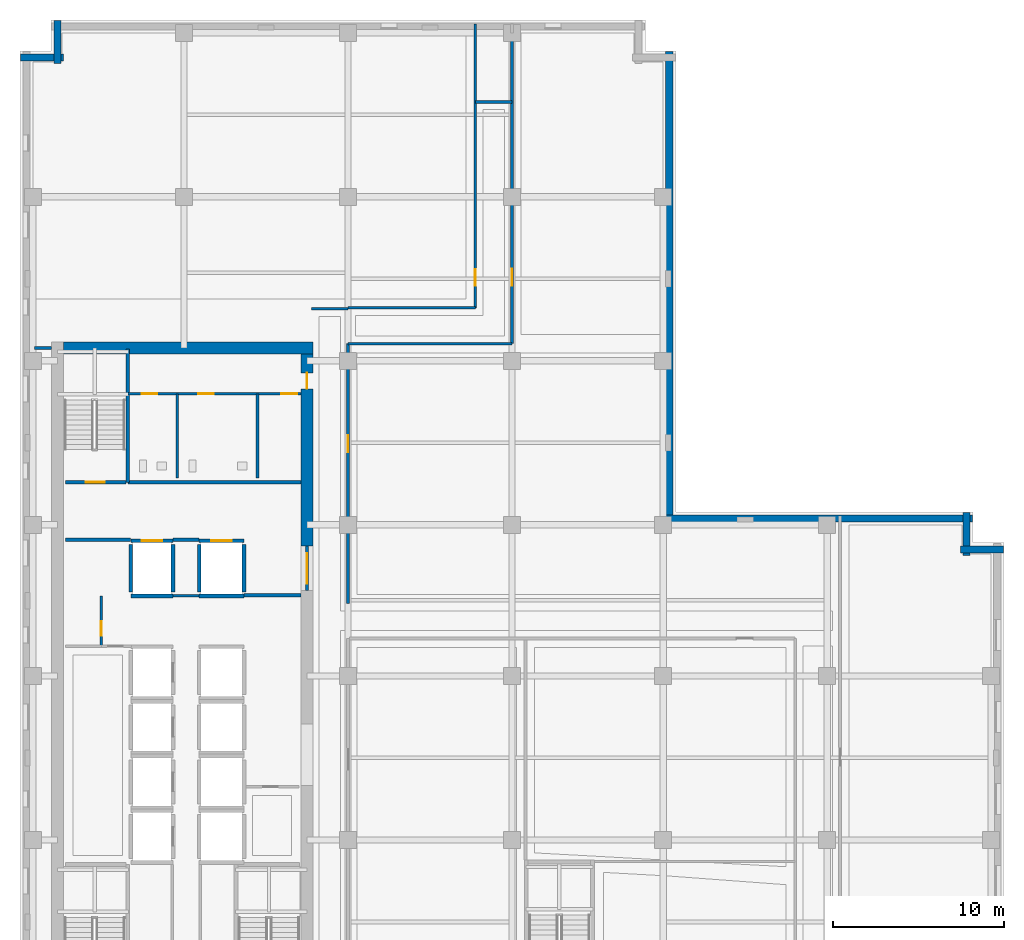
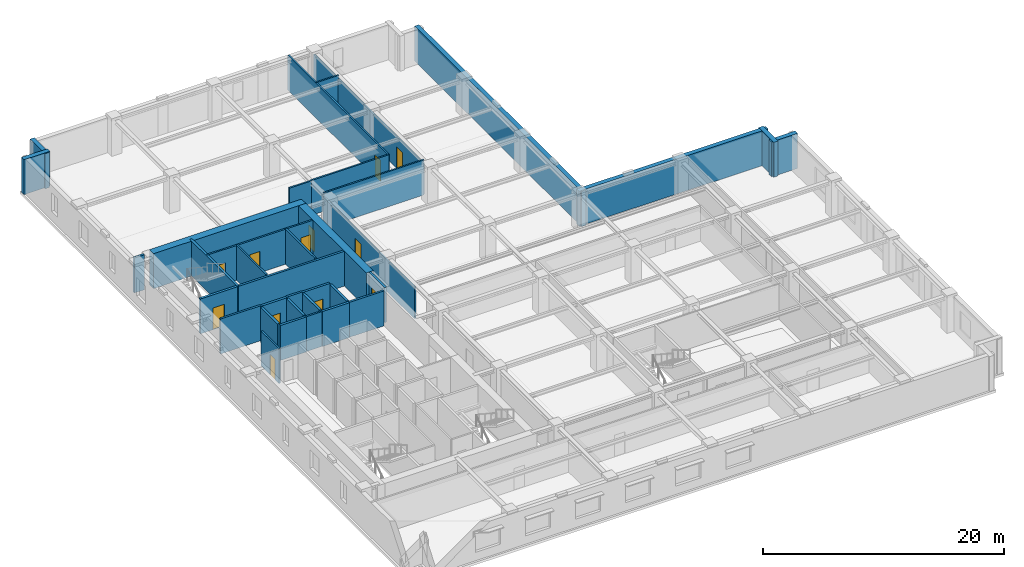
# One storey, part 6 of 12: 36 walls, 12 doors, 12 openings.
"""IFC4 building model written with IfcOpenShell, lengths in metres."""

from ifc_helpers import new_model, si_unit, direction, frame, frame_2d, origin, place, context, subcontext, project, spatial, rectangle, extrude, material, layer, layer_set, type_object, element, fill, save


model = new_model("IFC4")

# Units and contexts
model_context = context("Model", 3, precision=1e-05, world=origin(), true_north=direction((0.0, 1.0)))
body_context = subcontext(model_context, "Body", "Model", "MODEL_VIEW")
ifc_project = project(units=[si_unit("LENGTHUNIT", "METRE"), si_unit("AREAUNIT", "SQUARE_METRE"), si_unit("VOLUMEUNIT", "CUBIC_METRE"), si_unit("PLANEANGLEUNIT", "RADIAN"), si_unit("MASSUNIT", "GRAM", prefix="KILO")], contexts=[model_context])

# Site, building, storey
site_placement = place(None, origin())
site = spatial("IfcSite", under=ifc_project, at=site_placement, CompositionType="ELEMENT")
building_placement = place(site_placement, origin())
building = spatial("IfcBuilding", under=site, at=building_placement, Name="Norrvale University Quadrangle", CompositionType="ELEMENT")
storey_placement = place(building_placement, frame((0.0, 0.0, 105.199951171875)))
storey = spatial("IfcBuildingStorey", under=building, at=storey_placement, Name="L26", CompositionType="ELEMENT", Elevation=105.199951171875)

# Walls
ifc_material_1 = material(Name="Buff Norman Clay Brick Masonry", Category="masonry")
ifc_layer_1 = layer(ifc_material_1, 0.419921875, Name="Buff Norman Clay Brick Masonry")
ifc_layer_set_1 = layer_set([ifc_layer_1], Name="Buff Norman Clay Brick Masonry")
wall_type_1 = type_object("IfcWallType", Name="Wall Buff Brick 420", PredefinedType="SOLIDWALL", material=ifc_layer_set_1)
for number, where, z_axis, x_axis, name in (
    (1, (57.56005859375, 36.2099609375, 0.0), (0.0, 0.0, 1.0), (-1.0, 0.0, 0.0), "Exterior Brick Facade Wall L26-05.1"),
    (2, (55.409912109375, 35.860107421875, 0.0), (0.0, 0.0, 1.0), (0.0, 1.0, 0.0), "Exterior Brick Facade Wall L26-06.1"),
):
    element("IfcWall", number, at=place(storey_placement, frame(where, z_axis=z_axis, x_axis=x_axis)), inside=storey, type_object=wall_type_1, Name=name, PredefinedType="SOLIDWALL", context=body_context, shape_type="SweptSolid", body=[
        extrude(rectangle(XDim=2.5, YDim=0.419921875, at=frame_2d((1.25, 0.0))), origin(), (0.0, 0.0, 1.0), 3.5400390625),
    ])
wall_1_placement = place(storey_placement, frame((55.760009765625, 38.010009765625, 0.0), z_axis=(0.0, 0.0, 1.0), x_axis=(-1.0, 0.0, 0.0)))
element("IfcWall", 3, at=wall_1_placement, inside=storey, type_object=wall_type_1, Name="Exterior Brick Facade Wall L26-07.1", PredefinedType="SOLIDWALL", context=body_context, shape_type="SweptSolid", body=[
    extrude(rectangle(XDim=18.10009765625, YDim=0.419921875, at=frame_2d((9.050048828125, 0.0))), origin(), (0.0, 0.0, 1.0), 3.5400390625),
])
wall_2_placement = place(storey_placement, frame((38.010009765625, 37.659912109375, 0.0), z_axis=(0.0, 0.0, 1.0), x_axis=(0.0, 1.0, 0.0)))
element("IfcWall", 4, at=wall_2_placement, inside=storey, type_object=wall_type_1, Name="Exterior Brick Facade Wall L26-08.1", PredefinedType="SOLIDWALL", context=body_context, shape_type="SweptSolid", body=[
    extrude(rectangle(XDim=27.7001953125, YDim=0.419921875, at=frame_2d((13.85009765625, 0.0))), origin(), (0.0, 0.0, 1.0), 3.5400390625),
])
for number, where, z_axis, x_axis, name in (
    (5, (2.18994140625, 67.159912109375, 0.0), (0.0, 0.0, 1.0), (0.0, -1.0, 0.0), "Exterior Brick Facade Wall L26-12.1"),
    (6, (2.5400390625, 65.010009765625, 0.0), (0.0, 0.0, 1.0), (-1.0, 0.0, 0.0), "Exterior Brick Facade Wall L26-13.1"),
):
    element("IfcWall", number, at=place(storey_placement, frame(where, z_axis=z_axis, x_axis=x_axis)), inside=storey, type_object=wall_type_1, Name=name, PredefinedType="SOLIDWALL", context=body_context, shape_type="SweptSolid", body=[
        extrude(rectangle(XDim=2.5, YDim=0.419921875, at=frame_2d((1.25, 0.0))), origin(), (0.0, 0.0, 1.0), 3.5400390625),
    ])
ifc_material_2 = material(Name="Concrete C60/75", Category="concrete")
ifc_layer_2 = layer(ifc_material_2, 0.699951171875, Name="Concrete C60/75")
ifc_layer_set_2 = layer_set([ifc_layer_2], Name="Concrete C60/75")
wall_type_2 = type_object("IfcWallType", Name="Wall Core 700", PredefinedType="SHEAR", material=ifc_layer_set_2)
wall_3_placement = place(storey_placement, frame((2.550048828125, 48.0, 0.0), z_axis=(0.0, 0.0, 1.0), x_axis=(1.0, 0.0, 0.0)))
element("IfcWall", 7, at=wall_3_placement, inside=storey, type_object=wall_type_2, Name="Tower Core Shear Wall L26-N", PredefinedType="SHEAR", context=body_context, shape_type="SweptSolid", body=[
    extrude(rectangle(XDim=14.599853515625, YDim=0.699951171875, at=frame_2d((7.2998046875, 0.0))), origin(), (0.0, 0.0, 1.0), 3.5400390625),
])

# Wall, opening, door
wall_4_placement = place(storey_placement, frame((16.800048828125, 36.39990234375, 0.0), z_axis=(0.0, 0.0, 1.0), x_axis=(0.0, 1.0, 0.0)))
wall_4 = element("IfcWall", 8, at=wall_4_placement, inside=storey, type_object=wall_type_2, Name="Tower Core Shear Wall L26-E3", PredefinedType="SHEAR", context=body_context, shape_type="SweptSolid", body=[
    extrude(rectangle(XDim=11.25, YDim=0.699951171875, at=frame_2d((5.625, 0.0))), origin(), (0.0, 0.0, 1.0), 3.5400390625),
])
opening_1_placement = place(wall_4_placement, frame((9.199951171875, 0.0, 0.0)))
opening_1 = element("IfcOpeningElement", 9, at=opening_1_placement, cuts=wall_4, Name="Opening D07", PredefinedType="OPENING", context=body_context, shape_type="SweptSolid", body=[
    extrude(rectangle(XDim=0.949951171875, YDim=2.14990234375, at=frame_2d((0.47509765625, 1.074951171875))), frame((0.0, 0.362060546875, 0.0), z_axis=(0.0, -1.0, 0.0), x_axis=(1.0, 0.0, 0.0)), (0.0, 0.0, 1.0), 0.723876953125),
])
ifc_material_3 = material(Name="Solid-Core Maple Door", Category="wood")
door_type_1 = type_object("IfcDoorType", Name="Door Office 950x2150", OperationType="NOTDEFINED", PredefinedType="DOOR", material=ifc_material_3)
door_1_placement = place(opening_1_placement, origin())
door_1 = element("IfcDoor", 10, at=door_1_placement, inside=storey, type_object=door_type_1, Name="Door Office 950x2150 DR-L26-NECORR", OperationType="SINGLE_SWING_LEFT", OverallHeight=2.14990234375, OverallWidth=0.949951171875, PredefinedType="DOOR", context=body_context, shape_type="SweptSolid", body=[
    extrude(rectangle(XDim=0.949951171875, YDim=2.14990234375, at=frame_2d((0.47509765625, 1.074951171875))), frame((0.0, 0.02490234375, 0.0), z_axis=(0.0, -1.0, 0.0), x_axis=(1.0, 0.0, 0.0)), (0.0, 0.0, 1.0), 0.050048828125),
])
fill(opening_1, door_1)

# Wall
ifc_material_4 = material(Name="Fire-Rated Gypsum Stud Partition")
ifc_layer_3 = layer(ifc_material_4, 0.14990234375, Name="Fire-Rated Gypsum Stud Partition")
ifc_layer_set_3 = layer_set([ifc_layer_3], Name="Fire-Rated Gypsum Stud Partition")
wall_type_3 = type_object("IfcWallType", Name="Wall Gypsum Corridor 150", PredefinedType="PARTITIONING", material=ifc_layer_set_3)
wall_5_placement = place(storey_placement, frame((8.965087890625, 33.489990234375, 0.0), z_axis=(0.0, 0.0, 1.0), x_axis=(1.0, 0.0, 0.0)))
element("IfcWall", 11, at=wall_5_placement, inside=storey, type_object=wall_type_3, Name="Interior Partition WL-L26-LL3", PredefinedType="PARTITIONING", context=body_context, shape_type="SweptSolid", body=[
    extrude(rectangle(XDim=1.52001953125, YDim=0.14990234375, at=frame_2d((0.760009765625, 0.0))), origin(), (0.0, 0.0, 1.0), 3.5400390625),
])

# Wall, opening, door
wall_6_placement = place(storey_placement, frame((4.760009765625, 30.550048828125, 0.0), z_axis=(0.0, 0.0, 1.0), x_axis=(0.0, 1.0, 0.0)))
wall_6 = element("IfcWall", 12, at=wall_6_placement, inside=storey, type_object=wall_type_3, Name="Interior Partition WL-L26-WME-E", PredefinedType="PARTITIONING", context=body_context, shape_type="SweptSolid", body=[
    extrude(rectangle(XDim=2.929931640625, YDim=0.14990234375, at=frame_2d((1.46484375, 0.0))), origin(), (0.0, 0.0, 1.0), 3.5400390625),
])
opening_2_placement = place(wall_6_placement, frame((0.60009765625, 0.0, 0.0)))
opening_2 = element("IfcOpeningElement", 13, at=opening_2_placement, cuts=wall_6, Name="Opening D10", PredefinedType="OPENING", context=body_context, shape_type="SweptSolid", body=[
    extrude(rectangle(XDim=0.85009765625, YDim=2.10009765625, at=frame_2d((0.425048828125, 1.050048828125))), frame((0.0, 0.0869140625, 0.0), z_axis=(0.0, -1.0, 0.0), x_axis=(1.0, 0.0, 0.0)), (0.0, 0.0, 1.0), 0.173828125),
])
ifc_material_5 = material(Name="Hollow Steel 350W Riser Fire Door", Category="steel")
door_type_2 = type_object("IfcDoorType", Name="Door Riser 850x2100", OperationType="NOTDEFINED", PredefinedType="DOOR", material=ifc_material_5)
door_2_placement = place(opening_2_placement, origin())
door_2 = element("IfcDoor", 14, at=door_2_placement, inside=storey, type_object=door_type_2, Name="Door Riser 850x2100 DR-L26-WME", OperationType="SINGLE_SWING_LEFT", OverallHeight=2.10009765625, OverallWidth=0.85009765625, PredefinedType="DOOR", context=body_context, shape_type="SweptSolid", body=[
    extrude(rectangle(XDim=0.85009765625, YDim=2.10009765625, at=frame_2d((0.425048828125, 1.050048828125))), frame((0.0, 0.02490234375, 0.0), z_axis=(0.0, -1.0, 0.0), x_axis=(1.0, 0.0, 0.0)), (0.0, 0.0, 1.0), 0.050048828125),
])
fill(opening_2, door_2)

# Wall
wall_7_placement = place(storey_placement, frame((17.050048828125, 50.300048828125, 0.0), z_axis=(0.0, 0.0, 1.0), x_axis=(1.0, 0.0, 0.0)))
element("IfcWall", 15, at=wall_7_placement, inside=storey, type_object=wall_type_3, Name="Interior Partition WL-L26-CN-END", PredefinedType="PARTITIONING", context=body_context, shape_type="SweptSolid", body=[
    extrude(rectangle(XDim=2.14990234375, YDim=0.14990234375, at=frame_2d((1.074951171875, 0.0))), origin(), (0.0, 0.0, 1.0), 3.5400390625),
])

# Wall, opening, door
wall_8_placement = place(storey_placement, frame((19.199951171875, 33.050048828125, 0.0), z_axis=(0.0, 0.0, 1.0), x_axis=(0.0, 1.0, 0.0)))
wall_8 = element("IfcWall", 16, at=wall_8_placement, inside=storey, type_object=wall_type_3, Name="Interior Partition WL-L26-MNECW", PredefinedType="PARTITIONING", context=body_context, shape_type="SweptSolid", body=[
    extrude(rectangle(XDim=15.199951171875, YDim=0.14990234375, at=frame_2d((7.60009765625, 0.0))), origin(), (0.0, 0.0, 1.0), 3.18408203125),
])
opening_3_placement = place(wall_8_placement, frame((8.85009765625, 0.0, 0.0)))
opening_3 = element("IfcOpeningElement", 17, at=opening_3_placement, cuts=wall_8, Name="Opening D04", PredefinedType="OPENING", context=body_context, shape_type="SweptSolid", body=[
    extrude(rectangle(XDim=1.0, YDim=2.199951171875, at=frame_2d((0.5, 1.10009765625))), frame((0.0, 0.0869140625, 0.0), z_axis=(0.0, -1.0, 0.0), x_axis=(1.0, 0.0, 0.0)), (0.0, 0.0, 1.0), 0.173828125),
])
ifc_material_6 = material(Name="Solid-Core Oak Fire Door", Category="wood")
door_type_3 = type_object("IfcDoorType", Name="Door Corridor 1000x2200", OperationType="NOTDEFINED", PredefinedType="DOOR", material=ifc_material_6)
door_3_placement = place(opening_3_placement, origin())
door_3 = element("IfcDoor", 18, at=door_3_placement, inside=storey, type_object=door_type_3, Name="Door Corridor 1000x2200 DR-L26-MNE01", OperationType="SINGLE_SWING_RIGHT", OverallHeight=2.199951171875, OverallWidth=1.0, PredefinedType="DOOR", context=body_context, shape_type="SweptSolid", body=[
    extrude(rectangle(XDim=1.0, YDim=2.199951171875, at=frame_2d((0.5, 1.10009765625))), frame((0.0, 0.02490234375, 0.0), z_axis=(0.0, -1.0, 0.0), x_axis=(1.0, 0.0, 0.0)), (0.0, 0.0, 1.0), 0.050048828125),
])
fill(opening_3, door_3)

# Walls
wall_9_placement = place(storey_placement, frame((19.199951171875, 48.25, 0.0), z_axis=(0.0, 0.0, 1.0), x_axis=(1.0, 0.0, 0.0)))
element("IfcWall", 19, at=wall_9_placement, inside=storey, type_object=wall_type_3, Name="Interior Partition WL-L26-JOGS", PredefinedType="PARTITIONING", context=body_context, shape_type="SweptSolid", body=[
    extrude(rectangle(XDim=9.60009765625, YDim=0.14990234375, at=frame_2d((4.800048828125, 0.0))), origin(), (0.0, 0.0, 1.0), 3.5400390625),
])
wall_10_placement = place(storey_placement, frame((19.199951171875, 50.35009765625, 0.0), z_axis=(0.0, 0.0, 1.0), x_axis=(1.0, 0.0, 0.0)))
element("IfcWall", 20, at=wall_10_placement, inside=storey, type_object=wall_type_3, Name="Interior Partition WL-L26-JOGN", PredefinedType="PARTITIONING", context=body_context, shape_type="SweptSolid", body=[
    extrude(rectangle(XDim=7.449951171875, YDim=0.14990234375, at=frame_2d((3.72509765625, 0.0))), origin(), (0.0, 0.0, 1.0), 3.5400390625),
])
wall_11_placement = place(storey_placement, frame((26.64990234375, 62.39990234375, 0.0), z_axis=(0.0, 0.0, 1.0), x_axis=(1.0, 0.0, 0.0)))
element("IfcWall", 21, at=wall_11_placement, inside=storey, type_object=wall_type_3, Name="Interior Partition WL-L26-JOGEND", PredefinedType="PARTITIONING", context=body_context, shape_type="SweptSolid", body=[
    extrude(rectangle(XDim=2.150146484375, YDim=0.14990234375, at=frame_2d((1.0751953125, 0.0))), origin(), (0.0, 0.0, 1.0), 3.5400390625),
])

# Wall, opening, door
wall_12_placement = place(storey_placement, frame((28.800048828125, 48.25, 0.0), z_axis=(0.0, 0.0, 1.0), x_axis=(0.0, 1.0, 0.0)))
wall_12 = element("IfcWall", 22, at=wall_12_placement, inside=storey, type_object=wall_type_3, Name="Interior Partition WL-L26-NECW", PredefinedType="PARTITIONING", context=body_context, shape_type="SweptSolid", body=[
    extrude(rectangle(XDim=18.199951171875, YDim=0.14990234375, at=frame_2d((9.10009765625, 0.0))), origin(), (0.0, 0.0, 1.0), 3.18408203125),
])
opening_4_placement = place(wall_12_placement, frame((3.39990234375, 0.0, 0.0)))
opening_4 = element("IfcOpeningElement", 23, at=opening_4_placement, cuts=wall_12, Name="Opening D04", PredefinedType="OPENING", context=body_context, shape_type="SweptSolid", body=[
    extrude(rectangle(XDim=1.0, YDim=2.199951171875, at=frame_2d((0.5, 1.10009765625))), frame((0.0, 0.0869140625, 0.0), z_axis=(0.0, -1.0, 0.0), x_axis=(1.0, 0.0, 0.0)), (0.0, 0.0, 1.0), 0.173828125),
])
door_4_placement = place(opening_4_placement, origin())
door_4 = element("IfcDoor", 24, at=door_4_placement, inside=storey, type_object=door_type_3, Name="Door Corridor 1000x2200 DR-L26-NE01", OperationType="SINGLE_SWING_RIGHT", OverallHeight=2.199951171875, OverallWidth=1.0, PredefinedType="DOOR", context=body_context, shape_type="SweptSolid", body=[
    extrude(rectangle(XDim=1.0, YDim=2.199951171875, at=frame_2d((0.5, 1.10009765625))), frame((0.0, 0.02490234375, 0.0), z_axis=(0.0, -1.0, 0.0), x_axis=(1.0, 0.0, 0.0)), (0.0, 0.0, 1.0), 0.050048828125),
])
fill(opening_4, door_4)

wall_13_placement = place(storey_placement, frame((26.64990234375, 50.35009765625, 0.0), z_axis=(0.0, 0.0, 1.0), x_axis=(0.0, 1.0, 0.0)))
wall_13 = element("IfcWall", 25, at=wall_13_placement, inside=storey, type_object=wall_type_3, Name="Interior Partition WL-L26-NWCW", PredefinedType="PARTITIONING", context=body_context, shape_type="SweptSolid", body=[
    extrude(rectangle(XDim=16.6298828125, YDim=0.14990234375, at=frame_2d((8.31494140625, 0.0))), origin(), (0.0, 0.0, 1.0), 3.5400390625),
])
opening_5_placement = place(wall_13_placement, frame((1.300048828125, 0.0, 0.0)))
opening_5 = element("IfcOpeningElement", 26, at=opening_5_placement, cuts=wall_13, Name="Opening D07", PredefinedType="OPENING", context=body_context, shape_type="SweptSolid", body=[
    extrude(rectangle(XDim=0.949951171875, YDim=2.14990234375, at=frame_2d((0.47509765625, 1.074951171875))), frame((0.0, 0.0869140625, 0.0), z_axis=(0.0, -1.0, 0.0), x_axis=(1.0, 0.0, 0.0)), (0.0, 0.0, 1.0), 0.173828125),
])
door_5_placement = place(opening_5_placement, origin())
door_5 = element("IfcDoor", 27, at=door_5_placement, inside=storey, type_object=door_type_1, Name="Door Office 950x2150 DR-L26-NW01", OperationType="SINGLE_SWING_RIGHT", OverallHeight=2.14990234375, OverallWidth=0.949951171875, PredefinedType="DOOR", context=body_context, shape_type="SweptSolid", body=[
    extrude(rectangle(XDim=0.949951171875, YDim=2.14990234375, at=frame_2d((0.47509765625, 1.074951171875))), frame((0.0, 0.02490234375, 0.0), z_axis=(0.0, -1.0, 0.0), x_axis=(1.0, 0.0, 0.0)), (0.0, 0.0, 1.0), 0.050048828125),
])
fill(opening_5, door_5)

# Wall, openings, doors
ifc_material_7 = material(Name="Sanitary Chase Gypsum Partition")
ifc_layer_4 = layer(ifc_material_7, 0.1650390625, Name="Sanitary Chase Gypsum Partition")
ifc_layer_set_4 = layer_set([ifc_layer_4], Name="Sanitary Chase Gypsum Partition")
wall_type_4 = type_object("IfcWallType", Name="Wall Gypsum Sanitary 165", PredefinedType="PLUMBINGWALL", material=ifc_layer_set_4)
wall_14_placement = place(storey_placement, frame((6.320068359375, 45.320068359375, 0.0), z_axis=(0.0, 0.0, 1.0), x_axis=(1.0, 0.0, 0.0)))
wall_14 = element("IfcWall", 28, at=wall_14_placement, inside=storey, type_object=wall_type_4, Name="Interior Partition WL-L26-WCN", PredefinedType="PLUMBINGWALL", context=body_context, shape_type="SweptSolid", body=[
    extrude(rectangle(XDim=10.1298828125, YDim=0.1650390625, at=frame_2d((5.06494140625, 0.0))), origin(), (0.0, 0.0, 1.0), 3.5400390625),
])
opening_6_placement = place(wall_14_placement, frame((0.800048828125, 0.0, 0.0)))
opening_6 = element("IfcOpeningElement", 29, at=opening_6_placement, cuts=wall_14, Name="Opening D08", PredefinedType="OPENING", context=body_context, shape_type="SweptSolid", body=[
    extrude(rectangle(XDim=0.919921875, YDim=2.14990234375, at=frame_2d((0.4599609375, 1.074951171875))), frame((0.0, 0.094482421875, 0.0), z_axis=(0.0, -1.0, 0.0), x_axis=(1.0, 0.0, 0.0)), (0.0, 0.0, 1.0), 0.18896484375),
])
opening_7_placement = place(wall_14_placement, frame((4.10009765625, 0.0, 0.0)))
opening_7 = element("IfcOpeningElement", 30, at=opening_7_placement, cuts=wall_14, Name="Opening D08", PredefinedType="OPENING", context=body_context, shape_type="SweptSolid", body=[
    extrude(rectangle(XDim=0.919921875, YDim=2.14990234375, at=frame_2d((0.4599609375, 1.074951171875))), frame((0.0, 0.094482421875, 0.0), z_axis=(0.0, -1.0, 0.0), x_axis=(1.0, 0.0, 0.0)), (0.0, 0.0, 1.0), 0.18896484375),
])
opening_8_placement = place(wall_14_placement, frame((8.97998046875, 0.0, 0.0)))
opening_8 = element("IfcOpeningElement", 31, at=opening_8_placement, cuts=wall_14, Name="Opening D08", PredefinedType="OPENING", context=body_context, shape_type="SweptSolid", body=[
    extrude(rectangle(XDim=0.919921875, YDim=2.14990234375, at=frame_2d((0.4599609375, 1.074951171875))), frame((0.0, 0.094482421875, 0.0), z_axis=(0.0, -1.0, 0.0), x_axis=(1.0, 0.0, 0.0)), (0.0, 0.0, 1.0), 0.18896484375),
])
ifc_material_8 = material(Name="Laminate Washroom Door", Category="wood")
door_type_4 = type_object("IfcDoorType", Name="Door Washroom 920x2150", OperationType="NOTDEFINED", PredefinedType="DOOR", material=ifc_material_8)
door_6_placement = place(opening_6_placement, origin())
door_6 = element("IfcDoor", 32, at=door_6_placement, inside=storey, type_object=door_type_4, Name="Door Washroom 920x2150 DR-L26-WC1", OperationType="SINGLE_SWING_LEFT", OverallHeight=2.14990234375, OverallWidth=0.919921875, PredefinedType="DOOR", context=body_context, shape_type="SweptSolid", body=[
    extrude(rectangle(XDim=0.919921875, YDim=2.14990234375, at=frame_2d((0.4599609375, 1.074951171875))), frame((0.0, 0.02490234375, 0.0), z_axis=(0.0, -1.0, 0.0), x_axis=(1.0, 0.0, 0.0)), (0.0, 0.0, 1.0), 0.050048828125),
])
fill(opening_6, door_6)
door_7_placement = place(opening_7_placement, origin())
door_7 = element("IfcDoor", 33, at=door_7_placement, inside=storey, type_object=door_type_4, Name="Door Washroom 920x2150 DR-L26-WC2", OperationType="SINGLE_SWING_RIGHT", OverallHeight=2.14990234375, OverallWidth=0.919921875, PredefinedType="DOOR", context=body_context, shape_type="SweptSolid", body=[
    extrude(rectangle(XDim=0.919921875, YDim=2.14990234375, at=frame_2d((0.4599609375, 1.074951171875))), frame((0.0, 0.02490234375, 0.0), z_axis=(0.0, -1.0, 0.0), x_axis=(1.0, 0.0, 0.0)), (0.0, 0.0, 1.0), 0.050048828125),
])
fill(opening_7, door_7)
door_8_placement = place(opening_8_placement, origin())
door_8 = element("IfcDoor", 34, at=door_8_placement, inside=storey, type_object=door_type_4, Name="Door Washroom 920x2150 DR-L26-WC3", OperationType="SINGLE_SWING_LEFT", OverallHeight=2.14990234375, OverallWidth=0.919921875, PredefinedType="DOOR", context=body_context, shape_type="SweptSolid", body=[
    extrude(rectangle(XDim=0.919921875, YDim=2.14990234375, at=frame_2d((0.4599609375, 1.074951171875))), frame((0.0, 0.02490234375, 0.0), z_axis=(0.0, -1.0, 0.0), x_axis=(1.0, 0.0, 0.0)), (0.0, 0.0, 1.0), 0.050048828125),
])
fill(opening_8, door_8)

# Walls
for number, where, z_axis, x_axis, name in (
    (35, (9.199951171875, 40.39990234375, 0.0), (0.0, 0.0, 1.0), (0.0, 1.0, 0.0), "Interior Partition WL-L26-WCM1"),
    (36, (13.89990234375, 40.39990234375, 0.0), (0.0, 0.0, 1.0), (0.0, 1.0, 0.0), "Interior Partition WL-L26-WCM2"),
):
    element("IfcWall", number, at=place(storey_placement, frame(where, z_axis=z_axis, x_axis=x_axis)), inside=storey, type_object=wall_type_4, Name=name, PredefinedType="PLUMBINGWALL", context=body_context, shape_type="SweptSolid", body=[
        extrude(rectangle(XDim=4.920166015625, YDim=0.1650390625, at=frame_2d((2.4599609375, 0.0))), origin(), (0.0, 0.0, 1.0), 3.5400390625),
    ])
ifc_material_9 = material(Name="Concrete Blockwork 20 MPa Rated Wall", Category="masonry")
ifc_layer_5 = layer(ifc_material_9, 0.199951171875, Name="Concrete Blockwork 20 MPa Rated Wall")
ifc_layer_set_5 = layer_set([ifc_layer_5], Name="Concrete Blockwork 20 MPa Rated Wall")
wall_type_5 = type_object("IfcWallType", Name="Wall Lobby 200", PredefinedType="SOLIDWALL", material=ifc_layer_set_5)
wall_15_placement = place(storey_placement, frame((2.64990234375, 36.780029296875, 0.0), z_axis=(0.0, 0.0, 1.0), x_axis=(1.0, 0.0, 0.0)))
element("IfcWall", 37, at=wall_15_placement, inside=storey, type_object=wall_type_5, Name="Interior Partition WL-L26-FF1", PredefinedType="SOLIDWALL", context=body_context, shape_type="SweptSolid", body=[
    extrude(rectangle(XDim=3.830078125, YDim=0.199951171875, at=frame_2d((1.9150390625, 0.0))), origin(), (0.0, 0.0, 1.0), 3.5400390625),
])
wall_16_placement = place(storey_placement, frame((8.969970703125, 36.780029296875, 0.0), z_axis=(0.0, 0.0, 1.0), x_axis=(1.0, 0.0, 0.0)))
element("IfcWall", 38, at=wall_16_placement, inside=storey, type_object=wall_type_5, Name="Interior Partition WL-L26-FF2", PredefinedType="SOLIDWALL", context=body_context, shape_type="SweptSolid", body=[
    extrude(rectangle(XDim=1.510009765625, YDim=0.199951171875, at=frame_2d((0.7548828125, 0.0))), origin(), (0.0, 0.0, 1.0), 3.5400390625),
])
wall_17_placement = place(storey_placement, frame((13.1201171875, 33.52001953125, 0.0), z_axis=(0.0, 0.0, 1.0), x_axis=(1.0, 0.0, 0.0)))
element("IfcWall", 39, at=wall_17_placement, inside=storey, type_object=wall_type_5, Name="Interior Partition WL-L26-FF3", PredefinedType="SOLIDWALL", context=body_context, shape_type="SweptSolid", body=[
    extrude(rectangle(XDim=3.329833984375, YDim=0.199951171875, at=frame_2d((1.6650390625, 0.0))), origin(), (0.0, 0.0, 1.0), 3.5400390625),
])
wall_18_placement = place(storey_placement, frame((6.320068359375, 40.139892578125, 0.0), z_axis=(0.0, 0.0, 1.0), x_axis=(1.0, 0.0, 0.0)))
element("IfcWall", 40, at=wall_18_placement, inside=storey, type_object=wall_type_5, Name="Interior Partition WL-L26-FF4", PredefinedType="SOLIDWALL", context=body_context, shape_type="SweptSolid", body=[
    extrude(rectangle(XDim=10.1298828125, YDim=0.199951171875, at=frame_2d((5.06494140625, 0.0))), origin(), (0.0, 0.0, 1.0), 3.5400390625),
])

# Wall, opening, door
wall_19_placement = place(storey_placement, frame((16.800048828125, 33.800048828125, 0.0), z_axis=(0.0, 0.0, 1.0), x_axis=(0.0, 1.0, 0.0)))
wall_19 = element("IfcWall", 41, at=wall_19_placement, inside=storey, type_object=wall_type_5, Name="Interior Partition WL-L26-FFP", PredefinedType="SOLIDWALL", context=body_context, shape_type="SweptSolid", body=[
    extrude(rectangle(XDim=2.599853515625, YDim=0.199951171875, at=frame_2d((1.2998046875, 0.0))), origin(), (0.0, 0.0, 1.0), 3.5400390625),
])
opening_9_placement = place(wall_19_placement, frame((0.39990234375, 0.0, 0.0)))
opening_9 = element("IfcOpeningElement", 42, at=opening_9_placement, cuts=wall_19, Name="Opening D03", PredefinedType="OPENING", context=body_context, shape_type="SweptSolid", body=[
    extrude(rectangle(XDim=1.800048828125, YDim=2.199951171875, at=frame_2d((0.89990234375, 1.10009765625))), frame((0.0, 0.112060546875, 0.0), z_axis=(0.0, -1.0, 0.0), x_axis=(1.0, 0.0, 0.0)), (0.0, 0.0, 1.0), 0.223876953125),
])
ifc_material_10 = material(Name="Hollow Steel 350W Fire Door", Category="steel")
door_type_5 = type_object("IfcDoorType", Name="Door Fire Lobby 1800x2200", OperationType="DOUBLE_DOOR_SINGLE_SWING", PredefinedType="DOOR", material=ifc_material_10)
door_9_placement = place(opening_9_placement, origin())
door_9 = element("IfcDoor", 43, at=door_9_placement, inside=storey, type_object=door_type_5, Name="Door Fire Lobby 1800x2200 DR-L26-FFP", OperationType="DOUBLE_DOOR_SINGLE_SWING", OverallHeight=2.199951171875, OverallWidth=1.800048828125, PredefinedType="DOOR", context=body_context, shape_type="SweptSolid", body=[
    extrude(rectangle(XDim=1.800048828125, YDim=2.199951171875, at=frame_2d((0.89990234375, 1.10009765625))), frame((0.0, 0.02490234375, 0.0), z_axis=(0.0, -1.0, 0.0), x_axis=(1.0, 0.0, 0.0)), (0.0, 0.0, 1.0), 0.050048828125),
])
fill(opening_9, door_9)

# Wall
wall_20_placement = place(storey_placement, frame((0.85009765625, 48.0, 0.0), z_axis=(0.0, 0.0, 1.0), x_axis=(1.0, 0.0, 0.0)))
element("IfcWall", 44, at=wall_20_placement, inside=storey, type_object=wall_type_5, Name="Interior Partition WL-L26-CWRET-N", PredefinedType="SOLIDWALL", context=body_context, shape_type="SweptSolid", body=[
    extrude(rectangle(XDim=0.994873046875, YDim=0.199951171875, at=frame_2d((0.49755859375, 0.0))), origin(), (0.0, 0.0, 1.0), 3.5400390625),
])

# Wall, opening, door
ifc_material_11 = material(Name="Concrete Blockwork 20 MPa Fire Shaft", Category="masonry")
ifc_layer_6 = layer(ifc_material_11, 0.219970703125, Name="Concrete Blockwork 20 MPa Fire Shaft")
ifc_layer_set_6 = layer_set([ifc_layer_6], Name="Concrete Blockwork 20 MPa Fire Shaft")
wall_type_6 = type_object("IfcWallType", Name="Wall Shaft 220", PredefinedType="SOLIDWALL", material=ifc_layer_set_6)
wall_21_placement = place(storey_placement, frame((2.64990234375, 40.139892578125, 0.0), z_axis=(0.0, 0.0, 1.0), x_axis=(1.0, 0.0, 0.0)))
wall_21 = element("IfcWall", 45, at=wall_21_placement, inside=storey, type_object=wall_type_6, Name="Stair ST-02 South Shaft Wall L26", PredefinedType="SOLIDWALL", context=body_context, shape_type="SweptSolid", body=[
    extrude(rectangle(XDim=3.550048828125, YDim=0.219970703125, at=frame_2d((1.77490234375, 0.0))), origin(), (0.0, 0.0, 1.0), 3.5400390625),
])
opening_10_placement = place(wall_21_placement, frame((1.199951171875, 0.0, 0.0)))
opening_10 = element("IfcOpeningElement", 46, at=opening_10_placement, cuts=wall_21, Name="Opening D02", PredefinedType="OPENING", context=body_context, shape_type="SweptSolid", body=[
    extrude(rectangle(XDim=1.10009765625, YDim=2.199951171875, at=frame_2d((0.550048828125, 1.10009765625))), frame((0.0, 0.1220703125, 0.0), z_axis=(0.0, -1.0, 0.0), x_axis=(1.0, 0.0, 0.0)), (0.0, 0.0, 1.0), 0.243896484375),
])
door_type_6 = type_object("IfcDoorType", Name="Door Stair Exit 1100x2200", OperationType="NOTDEFINED", PredefinedType="DOOR", material=ifc_material_10)
door_10_placement = place(opening_10_placement, origin())
door_10 = element("IfcDoor", 47, at=door_10_placement, inside=storey, type_object=door_type_6, Name="Door Stair Exit 1100x2200 DR-L26-ST02", OperationType="SINGLE_SWING_LEFT", OverallHeight=2.199951171875, OverallWidth=1.10009765625, PredefinedType="DOOR", context=body_context, shape_type="SweptSolid", body=[
    extrude(rectangle(XDim=1.10009765625, YDim=2.199951171875, at=frame_2d((0.550048828125, 1.10009765625))), frame((0.0, 0.02490234375, 0.0), z_axis=(0.0, -1.0, 0.0), x_axis=(1.0, 0.0, 0.0)), (0.0, 0.0, 1.0), 0.050048828125),
])
fill(opening_10, door_10)

# Walls
wall_22_placement = place(storey_placement, frame((6.31005859375, 40.139892578125, 0.0), z_axis=(0.0, 0.0, 1.0), x_axis=(0.0, 1.0, 0.0)))
element("IfcWall", 48, at=wall_22_placement, inside=storey, type_object=wall_type_6, Name="Stair ST-02 East Shaft Wall L26", PredefinedType="SOLIDWALL", context=body_context, shape_type="SweptSolid", body=[
    extrude(rectangle(XDim=7.81005859375, YDim=0.219970703125, at=frame_2d((3.905029296875, 0.0))), origin(), (0.0, 0.0, 1.0), 3.5400390625),
])
for number, where, z_axis, x_axis, name in (
    (49, (6.489990234375, 33.7099609375, 0.0), (0.0, 0.0, 1.0), (0.0, 1.0, 0.0), "Hoistway FFL-01 West Wall L26"),
    (50, (8.9599609375, 33.7099609375, 0.0), (0.0, 0.0, 1.0), (0.0, 1.0, 0.0), "Hoistway FFL-01 East Wall L26"),
):
    element("IfcWall", number, at=place(storey_placement, frame(where, z_axis=z_axis, x_axis=x_axis)), inside=storey, type_object=wall_type_6, Name=name, PredefinedType="SOLIDWALL", context=body_context, shape_type="SweptSolid", body=[
        extrude(rectangle(XDim=2.780029296875, YDim=0.219970703125, at=frame_2d((1.39013671875, 0.0))), origin(), (0.0, 0.0, 1.0), 3.5400390625),
    ])
wall_23_placement = place(storey_placement, frame((6.489990234375, 33.489990234375, 0.0), z_axis=(0.0, 0.0, 1.0), x_axis=(1.0, 0.0, 0.0)))
element("IfcWall", 51, at=wall_23_placement, inside=storey, type_object=wall_type_6, Name="Hoistway FFL-01 South Wall L26", PredefinedType="SOLIDWALL", context=body_context, shape_type="SweptSolid", body=[
    extrude(rectangle(XDim=2.469970703125, YDim=0.219970703125, at=frame_2d((1.23486328125, 0.0))), origin(), (0.0, 0.0, 1.0), 3.5400390625),
])

# Wall, opening, door
wall_24_placement = place(storey_placement, frame((6.489990234375, 36.7099609375, 0.0), z_axis=(0.0, 0.0, 1.0), x_axis=(1.0, 0.0, 0.0)))
wall_24 = element("IfcWall", 52, at=wall_24_placement, inside=storey, type_object=wall_type_6, Name="Hoistway FFL-01 North Wall L26", PredefinedType="SOLIDWALL", context=body_context, shape_type="SweptSolid", body=[
    extrude(rectangle(XDim=2.469970703125, YDim=0.219970703125, at=frame_2d((1.23486328125, 0.0))), origin(), (0.0, 0.0, 1.0), 3.5400390625),
])
opening_11_placement = place(wall_24_placement, frame((0.635009765625, 0.0, 0.0)))
opening_11 = element("IfcOpeningElement", 53, at=opening_11_placement, cuts=wall_24, Name="Opening LD2", PredefinedType="OPENING", context=body_context, shape_type="SweptSolid", body=[
    extrude(rectangle(XDim=1.199951171875, YDim=2.199951171875, at=frame_2d((0.60009765625, 1.10009765625))), frame((0.0, 0.1220703125, 0.0), z_axis=(0.0, -1.0, 0.0), x_axis=(1.0, 0.0, 0.0)), (0.0, 0.0, 1.0), 0.243896484375),
])
ifc_material_12 = material(Name="Stainless Steel 316L Firefighter Lift Door", Category="steel")
door_type_7 = type_object("IfcDoorType", Name="Door Fire Lift 1200x2200", OperationType="DOUBLE_DOOR_SLIDING", PredefinedType="DOOR", material=ifc_material_12)
door_11_placement = place(opening_11_placement, origin())
door_11 = element("IfcDoor", 54, at=door_11_placement, inside=storey, type_object=door_type_7, Name="Elevator Landing Door DR-L26-FFL-01", OperationType="DOUBLE_DOOR_SLIDING", OverallHeight=2.199951171875, OverallWidth=1.199951171875, PredefinedType="DOOR", context=body_context, shape_type="SweptSolid", body=[
    extrude(rectangle(XDim=1.199951171875, YDim=2.199951171875, at=frame_2d((0.60009765625, 1.10009765625))), frame((0.0, 0.02490234375, 0.0), z_axis=(0.0, -1.0, 0.0), x_axis=(1.0, 0.0, 0.0)), (0.0, 0.0, 1.0), 0.050048828125),
])
fill(opening_11, door_11)

# Walls
for number, where, z_axis, x_axis, name in (
    (55, (10.489990234375, 33.7099609375, 0.0), (0.0, 0.0, 1.0), (0.0, 1.0, 0.0), "Hoistway FFL-02 West Wall L26"),
    (56, (13.110107421875, 33.7099609375, 0.0), (0.0, 0.0, 1.0), (0.0, 1.0, 0.0), "Hoistway FFL-02 East Wall L26"),
):
    element("IfcWall", number, at=place(storey_placement, frame(where, z_axis=z_axis, x_axis=x_axis)), inside=storey, type_object=wall_type_6, Name=name, PredefinedType="SOLIDWALL", context=body_context, shape_type="SweptSolid", body=[
        extrude(rectangle(XDim=2.780029296875, YDim=0.219970703125, at=frame_2d((1.39013671875, 0.0))), origin(), (0.0, 0.0, 1.0), 3.5400390625),
    ])
wall_25_placement = place(storey_placement, frame((10.489990234375, 33.489990234375, 0.0), z_axis=(0.0, 0.0, 1.0), x_axis=(1.0, 0.0, 0.0)))
element("IfcWall", 57, at=wall_25_placement, inside=storey, type_object=wall_type_6, Name="Hoistway FFL-02 South Wall L26", PredefinedType="SOLIDWALL", context=body_context, shape_type="SweptSolid", body=[
    extrude(rectangle(XDim=2.6201171875, YDim=0.219970703125, at=frame_2d((1.31005859375, 0.0))), origin(), (0.0, 0.0, 1.0), 3.5400390625),
])

# Wall, opening, door
wall_26_placement = place(storey_placement, frame((10.489990234375, 36.7099609375, 0.0), z_axis=(0.0, 0.0, 1.0), x_axis=(1.0, 0.0, 0.0)))
wall_26 = element("IfcWall", 58, at=wall_26_placement, inside=storey, type_object=wall_type_6, Name="Hoistway FFL-02 North Wall L26", PredefinedType="SOLIDWALL", context=body_context, shape_type="SweptSolid", body=[
    extrude(rectangle(XDim=2.6201171875, YDim=0.219970703125, at=frame_2d((1.31005859375, 0.0))), origin(), (0.0, 0.0, 1.0), 3.5400390625),
])
opening_12_placement = place(wall_26_placement, frame((0.7099609375, 0.0, 0.0)))
opening_12 = element("IfcOpeningElement", 59, at=opening_12_placement, cuts=wall_26, Name="Opening LD2", PredefinedType="OPENING", context=body_context, shape_type="SweptSolid", body=[
    extrude(rectangle(XDim=1.199951171875, YDim=2.199951171875, at=frame_2d((0.60009765625, 1.10009765625))), frame((0.0, 0.1220703125, 0.0), z_axis=(0.0, -1.0, 0.0), x_axis=(1.0, 0.0, 0.0)), (0.0, 0.0, 1.0), 0.243896484375),
])
door_12_placement = place(opening_12_placement, origin())
door_12 = element("IfcDoor", 60, at=door_12_placement, inside=storey, type_object=door_type_7, Name="Elevator Landing Door DR-L26-FFL-02", OperationType="DOUBLE_DOOR_SLIDING", OverallHeight=2.199951171875, OverallWidth=1.199951171875, PredefinedType="DOOR", context=body_context, shape_type="SweptSolid", body=[
    extrude(rectangle(XDim=1.199951171875, YDim=2.199951171875, at=frame_2d((0.60009765625, 1.10009765625))), frame((0.0, 0.02490234375, 0.0), z_axis=(0.0, -1.0, 0.0), x_axis=(1.0, 0.0, 0.0)), (0.0, 0.0, 1.0), 0.050048828125),
])
fill(opening_12, door_12)

save(model, "model.ifc")
